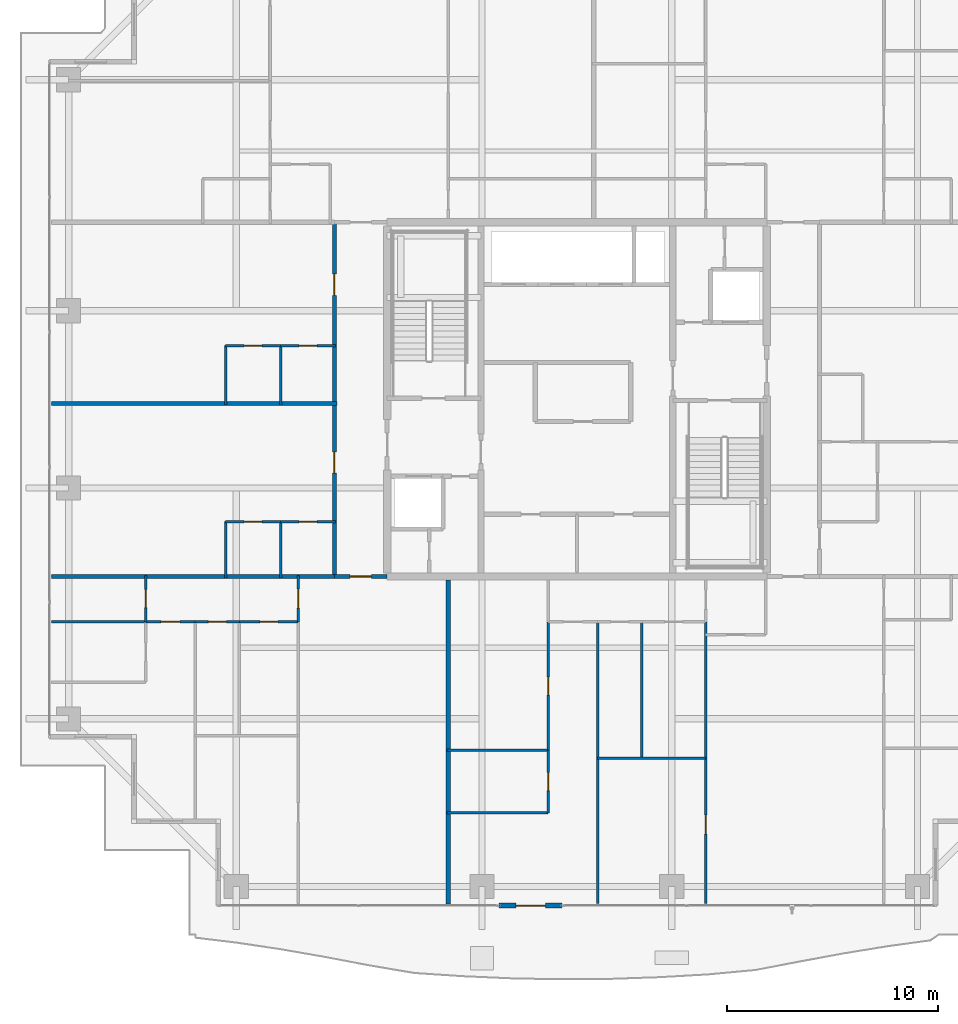
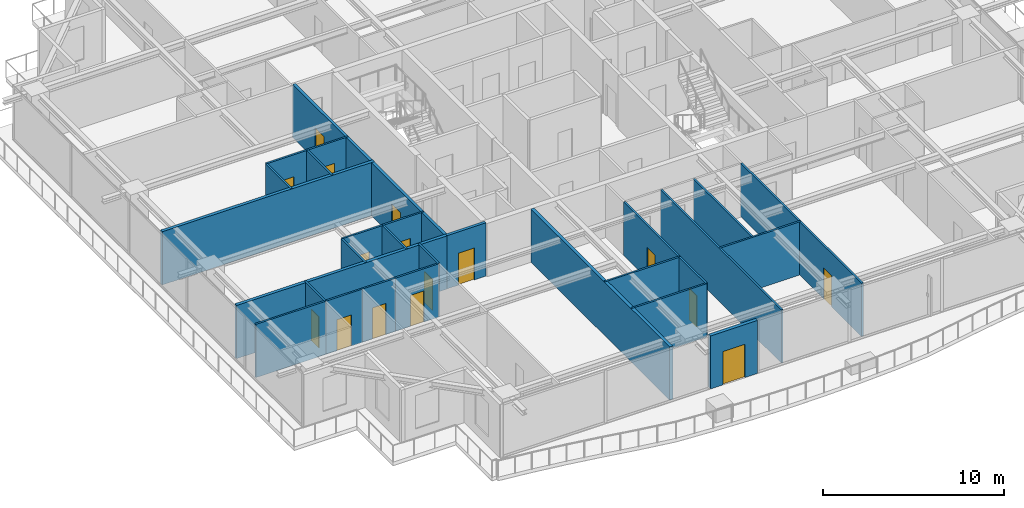
# One storey, part 26 of 37: 29 walls, 16 doors, 16 openings.
"""IFC4 building model written with IfcOpenShell, lengths in metres."""

from ifc_helpers import new_model, si_unit, direction, frame, frame_2d, origin, place, context, subcontext, project, spatial, rectangle, extrude, source, transform, mapped, material, layer, layer_set, type_object, element, fill, save


model = new_model("IFC4")

# Units and contexts
model_context = context("Model", 3, precision=1e-05, world=origin(), true_north=direction((0.0, 1.0)))
body_context = subcontext(model_context, "Body", "Model", "MODEL_VIEW")
ifc_project = project(units=[si_unit("LENGTHUNIT", "METRE"), si_unit("AREAUNIT", "SQUARE_METRE"), si_unit("VOLUMEUNIT", "CUBIC_METRE"), si_unit("PLANEANGLEUNIT", "RADIAN"), si_unit("MASSUNIT", "GRAM", prefix="KILO")], contexts=[model_context])

# Site, building, storey
site_placement = place(None, origin())
site = spatial("IfcSite", under=ifc_project, at=site_placement, CompositionType="ELEMENT")
building_placement = place(site_placement, origin())
building = spatial("IfcBuilding", under=site, at=building_placement, Name="Serunith Strait Residences", CompositionType="ELEMENT")
storey_placement = place(building_placement, frame((0.0, 0.0, 275.89990234375)))
storey = spatial("IfcBuildingStorey", under=building, at=storey_placement, Name="L69", CompositionType="ELEMENT", Elevation=275.89990234375)

# Wall, opening, door
ifc_material_1 = material(Name="Pale-Champagne Aluminium Insulated Panel", Category="aluminium")
ifc_layer_1 = layer(ifc_material_1, 0.219970703125, Name="Pale-Champagne Aluminium Insulated Panel")
ifc_layer_set_1 = layer_set([ifc_layer_1], Name="Pale-Champagne Aluminium Insulated Panel")
wall_type_1 = type_object("IfcWallType", Name="EW-ALUM-220", PredefinedType="ELEMENTEDWALL", material=ifc_layer_set_1)
wall_1_placement = place(storey_placement, frame((28.699951171875, 1.199951171875, 0.0), z_axis=(0.0, 0.0, 1.0), x_axis=(1.0, 0.0, 0.0)))
wall_1 = element("IfcWall", 1, at=wall_1_placement, inside=storey, type_object=wall_type_1, Name="L69 S Facade Pier Wall", PredefinedType="ELEMENTEDWALL", context=body_context, shape_type="SweptSolid", body=[
    extrude(rectangle(XDim=3.0, YDim=0.219970703125, at=frame_2d((1.5, 0.0))), origin(), (0.0, 0.0, 1.0), 3.5751953125),
])
opening_1_placement = place(wall_1_placement, frame((0.800048828125, 0.0, 0.0)))
opening_1 = element("IfcOpeningElement", 2, at=opening_1_placement, cuts=wall_1, Name="Opening ED-04", PredefinedType="OPENING", context=body_context, shape_type="SweptSolid", body=[
    extrude(rectangle(XDim=1.39990234375, YDim=2.25, at=frame_2d((0.699951171875, 1.125))), frame((0.0, 0.1201171875, 0.0), z_axis=(0.0, -1.0, 0.0), x_axis=(1.0, 0.0, 0.0)), (0.0, 0.0, 1.0), 0.239990234375),
])
ifc_material_2 = material(Name="Thermally-Broken Aluminium Sliding Balcony Door", Category="aluminium")
door_type_1 = type_object("IfcDoorType", Name="ED-BALC-1400", OperationType="NOTDEFINED", PredefinedType="DOOR", material=ifc_material_2)
shared_shape_1 = source(origin(), body_context, "Body", "SweptSolid", [
    extrude(rectangle(XDim=1.39990234375, YDim=2.25, at=frame_2d((0.699951171875, 1.125))), frame((0.0, 0.02490234375, 0.0), z_axis=(0.0, -1.0, 0.0), x_axis=(1.0, 0.0, 0.0)), (0.0, 0.0, 1.0), 0.050048828125),
])
door_1_placement = place(opening_1_placement, origin())
door_1 = element("IfcDoor", 3, at=door_1_placement, inside=storey, type_object=door_type_1, Name="L69 S Vertical-Forest Balcony Door", OperationType="SLIDING_TO_LEFT", OverallHeight=2.25, OverallWidth=1.39990234375, PredefinedType="DOOR", context=body_context, shape_type="MappedRepresentation", body=[
    mapped(shared_shape_1, transform((0.0, 0.0, 0.0), scale=1.0)),
])
fill(opening_1, door_1)

ifc_material_3 = material(Name="Fire-rated acoustic gypsum partition")
ifc_layer_2 = layer(ifc_material_3, 0.179931640625, Name="Fire-rated acoustic gypsum partition")
ifc_layer_set_2 = layer_set([ifc_layer_2], Name="Fire-rated acoustic gypsum partition")
wall_type_2 = type_object("IfcWallType", Name="IW-CORR-180", PredefinedType="PARTITIONING", material=ifc_layer_set_2)
wall_2_placement = place(storey_placement, frame((20.902099609375, 16.800048828125, 0.0), z_axis=(0.0, 0.0, 1.0), x_axis=(1.0, 0.0, 0.0)))
wall_2 = element("IfcWall", 4, at=wall_2_placement, inside=storey, type_object=wall_type_2, Name="L69 Partition Wall 027", PredefinedType="PARTITIONING", context=body_context, shape_type="SweptSolid", body=[
    extrude(rectangle(XDim=2.495849609375, YDim=0.179931640625, at=frame_2d((1.248046875, 0.0))), origin(), (0.0, 0.0, 1.0), 3.590087890625),
])
opening_2_placement = place(wall_2_placement, frame((0.748046875, 0.0, 0.0)))
opening_2 = element("IfcOpeningElement", 5, at=opening_2_placement, cuts=wall_2, Name="Opening D-APT1000", PredefinedType="OPENING", context=body_context, shape_type="SweptSolid", body=[
    extrude(rectangle(XDim=1.0, YDim=2.14990234375, at=frame_2d((0.5, 1.074951171875))), frame((0.0, 0.10009765625, 0.0), z_axis=(0.0, -1.0, 0.0), x_axis=(1.0, 0.0, 0.0)), (0.0, 0.0, 1.0), 0.199951171875),
])
ifc_material_4 = material(Name="Solid timber engineered fire door", Category="wood")
door_type_2 = type_object("IfcDoorType", Name="ID-APT-1000", OperationType="NOTDEFINED", PredefinedType="DOOR", material=ifc_material_4)
shared_shape_2 = source(origin(), body_context, "Body", "SweptSolid", [
    extrude(rectangle(XDim=1.0, YDim=2.14990234375, at=frame_2d((0.5, 1.074951171875))), frame((0.0, 0.02490234375, 0.0), z_axis=(0.0, -1.0, 0.0), x_axis=(1.0, 0.0, 0.0)), (0.0, 0.0, 1.0), 0.050048828125),
])
door_2_placement = place(opening_2_placement, origin())
door_2 = element("IfcDoor", 6, at=door_2_placement, inside=storey, type_object=door_type_2, Name="L69 Unit 01 Entrance Door", OperationType="SINGLE_SWING_LEFT", OverallHeight=2.14990234375, OverallWidth=1.0, PredefinedType="DOOR", context=body_context, shape_type="MappedRepresentation", body=[
    mapped(shared_shape_2, transform((0.0, 0.0, 0.0), scale=1.0)),
])
fill(opening_2, door_2)

# Wall, openings, doors
wall_3_placement = place(storey_placement, frame((20.89990234375, 16.800048828125, 0.0), z_axis=(0.0, 0.0, 1.0), x_axis=(0.0, 1.0, 0.0)))
wall_3 = element("IfcWall", 7, at=wall_3_placement, inside=storey, type_object=wall_type_2, Name="L69 Partition Wall 029", PredefinedType="PARTITIONING", context=body_context, shape_type="SweptSolid", body=[
    extrude(rectangle(XDim=16.800048828125, YDim=0.179931640625, at=frame_2d((8.39990234375, 0.0))), origin(), (0.0, 0.0, 1.0), 3.590087890625),
])
opening_3_placement = place(wall_3_placement, frame((4.89794921875, 0.0, 0.0)))
opening_3 = element("IfcOpeningElement", 8, at=opening_3_placement, cuts=wall_3, Name="Opening D-APT1000", PredefinedType="OPENING", context=body_context, shape_type="SweptSolid", body=[
    extrude(rectangle(XDim=1.0, YDim=2.14990234375, at=frame_2d((0.5, 1.074951171875))), frame((0.0, 0.10009765625, 0.0), z_axis=(0.0, -1.0, 0.0), x_axis=(1.0, 0.0, 0.0)), (0.0, 0.0, 1.0), 0.199951171875),
])
opening_4_placement = place(wall_3_placement, frame((13.3349609375, 0.0, 0.0)))
opening_4 = element("IfcOpeningElement", 9, at=opening_4_placement, cuts=wall_3, Name="Opening D-APT1000", PredefinedType="OPENING", context=body_context, shape_type="SweptSolid", body=[
    extrude(rectangle(XDim=1.0, YDim=2.14990234375, at=frame_2d((0.5, 1.074951171875))), frame((0.0, 0.10009765625, 0.0), z_axis=(0.0, -1.0, 0.0), x_axis=(1.0, 0.0, 0.0)), (0.0, 0.0, 1.0), 0.199951171875),
])
door_3_placement = place(opening_3_placement, origin())
door_3 = element("IfcDoor", 10, at=door_3_placement, inside=storey, type_object=door_type_2, Name="L69 Unit 05 Entrance Door", OperationType="SINGLE_SWING_LEFT", OverallHeight=2.14990234375, OverallWidth=1.0, PredefinedType="DOOR", context=body_context, shape_type="MappedRepresentation", body=[
    mapped(shared_shape_2, transform((0.0, 0.0, 0.0), scale=1.0)),
])
fill(opening_3, door_3)
door_4_placement = place(opening_4_placement, origin())
door_4 = element("IfcDoor", 11, at=door_4_placement, inside=storey, type_object=door_type_2, Name="L69 Unit 06 Entrance Door", OperationType="SINGLE_SWING_RIGHT", OverallHeight=2.14990234375, OverallWidth=1.0, PredefinedType="DOOR", context=body_context, shape_type="MappedRepresentation", body=[
    mapped(shared_shape_2, transform((0.0, 0.0, 0.0), scale=1.0)),
])
fill(opening_4, door_4)

# Wall, opening, door
ifc_material_5 = material(Name="Lightweight steel-stud gypsum partition", Category="steel")
ifc_layer_3 = layer(ifc_material_5, 0.1201171875, Name="Lightweight steel-stud gypsum partition")
ifc_layer_set_3 = layer_set([ifc_layer_3], Name="Lightweight steel-stud gypsum partition")
wall_type_3 = type_object("IfcWallType", Name="IW-PART-120", PredefinedType="PARTITIONING", material=ifc_layer_set_3)
wall_4_placement = place(storey_placement, frame((19.179931640625, 14.64990234375, 0.0), z_axis=(0.0, 0.0, 1.0), x_axis=(0.0, 1.0, 0.0)))
wall_4 = element("IfcWall", 12, at=wall_4_placement, inside=storey, type_object=wall_type_3, Name="L69 Partition Wall 033", PredefinedType="PARTITIONING", context=body_context, shape_type="SweptSolid", body=[
    extrude(rectangle(XDim=2.210205078125, YDim=0.1201171875, at=frame_2d((1.10498046875, 0.0))), origin(), (0.0, 0.0, 1.0), 3.590087890625),
])
opening_5_placement = place(wall_4_placement, frame((0.655029296875, 0.0, 0.0)))
opening_5 = element("IfcOpeningElement", 13, at=opening_5_placement, cuts=wall_4, Name="Opening D-RM900", PredefinedType="OPENING", context=body_context, shape_type="SweptSolid", body=[
    extrude(rectangle(XDim=0.89990234375, YDim=2.10009765625, at=frame_2d((0.449951171875, 1.050048828125))), frame((0.0, 0.070068359375, 0.0), z_axis=(0.0, -1.0, 0.0), x_axis=(1.0, 0.0, 0.0)), (0.0, 0.0, 1.0), 0.14013671875),
])
ifc_material_6 = material(Name="Engineered timber flush bedroom door", Category="wood")
door_type_3 = type_object("IfcDoorType", Name="ID-ROOM-900", OperationType="NOTDEFINED", PredefinedType="DOOR", material=ifc_material_6)
shared_shape_3 = source(origin(), body_context, "Body", "SweptSolid", [
    extrude(rectangle(XDim=0.89990234375, YDim=2.10009765625, at=frame_2d((0.449951171875, 1.050048828125))), frame((0.0, 0.02490234375, 0.0), z_axis=(0.0, -1.0, 0.0), x_axis=(1.0, 0.0, 0.0)), (0.0, 0.0, 1.0), 0.050048828125),
])
door_5_placement = place(opening_5_placement, origin())
door_5 = element("IfcDoor", 14, at=door_5_placement, inside=storey, type_object=door_type_3, Name="L69 Hall W 6901 Door", OperationType="SINGLE_SWING_RIGHT", OverallHeight=2.10009765625, OverallWidth=0.89990234375, PredefinedType="DOOR", context=body_context, shape_type="MappedRepresentation", body=[
    mapped(shared_shape_3, transform((0.0, 0.0, 0.0), scale=1.0)),
])
fill(opening_5, door_5)

wall_5_placement = place(storey_placement, frame((14.300048828125, 14.64990234375, 0.0), z_axis=(0.0, 0.0, 1.0), x_axis=(1.0, 0.0, 0.0)))
wall_5 = element("IfcWall", 15, at=wall_5_placement, inside=storey, type_object=wall_type_3, Name="L69 Partition Wall 039", PredefinedType="PARTITIONING", context=body_context, shape_type="SweptSolid", body=[
    extrude(rectangle(XDim=2.099853515625, YDim=0.1201171875, at=frame_2d((1.0498046875, 0.0))), origin(), (0.0, 0.0, 1.0), 3.590087890625),
])
opening_6_placement = place(wall_5_placement, frame((0.625, 0.0, 0.0)))
opening_6 = element("IfcOpeningElement", 16, at=opening_6_placement, cuts=wall_5, Name="Opening D-BTH850", PredefinedType="OPENING", context=body_context, shape_type="SweptSolid", body=[
    extrude(rectangle(XDim=0.85009765625, YDim=2.10009765625, at=frame_2d((0.425048828125, 1.050048828125))), frame((0.0, 0.070068359375, 0.0), z_axis=(0.0, -1.0, 0.0), x_axis=(1.0, 0.0, 0.0)), (0.0, 0.0, 1.0), 0.14013671875),
])
ifc_material_7 = material(Name="Moisture-resistant timber bathroom door", Category="wood")
door_type_4 = type_object("IfcDoorType", Name="ID-BATH-850", OperationType="NOTDEFINED", PredefinedType="DOOR", material=ifc_material_7)
shared_shape_4 = source(origin(), body_context, "Body", "SweptSolid", [
    extrude(rectangle(XDim=0.85009765625, YDim=2.10009765625, at=frame_2d((0.425048828125, 1.050048828125))), frame((0.0, 0.02490234375, 0.0), z_axis=(0.0, -1.0, 0.0), x_axis=(1.0, 0.0, 0.0)), (0.0, 0.0, 1.0), 0.050048828125),
])
door_6_placement = place(opening_6_placement, origin())
door_6 = element("IfcDoor", 17, at=door_6_placement, inside=storey, type_object=door_type_4, Name="L69 Bathroom 6901 Door", OperationType="SINGLE_SWING_RIGHT", OverallHeight=2.10009765625, OverallWidth=0.85009765625, PredefinedType="DOOR", context=body_context, shape_type="MappedRepresentation", body=[
    mapped(shared_shape_4, transform((0.0, 0.0, 0.0), scale=1.0)),
])
fill(opening_6, door_6)

wall_6_placement = place(storey_placement, frame((16.402099609375, 14.64990234375, 0.0), z_axis=(0.0, 0.0, 1.0), x_axis=(1.0, 0.0, 0.0)))
wall_6 = element("IfcWall", 18, at=wall_6_placement, inside=storey, type_object=wall_type_3, Name="L69 Partition Wall 040", PredefinedType="PARTITIONING", context=body_context, shape_type="SweptSolid", body=[
    extrude(rectangle(XDim=2.77783203125, YDim=0.1201171875, at=frame_2d((1.388916015625, 0.0))), origin(), (0.0, 0.0, 1.0), 3.590087890625),
])
opening_7_placement = place(wall_6_placement, frame((0.964111328125, 0.0, 0.0)))
opening_7 = element("IfcOpeningElement", 19, at=opening_7_placement, cuts=wall_6, Name="Opening D-RM850", PredefinedType="OPENING", context=body_context, shape_type="SweptSolid", body=[
    extrude(rectangle(XDim=0.85009765625, YDim=2.10009765625, at=frame_2d((0.425048828125, 1.050048828125))), frame((0.0, 0.070068359375, 0.0), z_axis=(0.0, -1.0, 0.0), x_axis=(1.0, 0.0, 0.0)), (0.0, 0.0, 1.0), 0.14013671875),
])
ifc_material_8 = material(Name="Engineered timber flush study and kitchen door", Category="wood")
door_type_5 = type_object("IfcDoorType", Name="ID-ROOM-850", OperationType="NOTDEFINED", PredefinedType="DOOR", material=ifc_material_8)
door_7_placement = place(opening_7_placement, origin())
door_7 = element("IfcDoor", 20, at=door_7_placement, inside=storey, type_object=door_type_5, Name="L69 Kitchen 6901 Door", OperationType="SINGLE_SWING_LEFT", OverallHeight=2.10009765625, OverallWidth=0.85009765625, PredefinedType="DOOR", context=body_context, shape_type="MappedRepresentation", body=[
    mapped(shared_shape_4, transform((0.0, 0.0, 0.0), scale=1.0)),
])
fill(opening_7, door_7)

wall_7_placement = place(storey_placement, frame((11.949951171875, 14.64990234375, 0.0), z_axis=(0.0, 0.0, 1.0), x_axis=(1.0, 0.0, 0.0)))
wall_7 = element("IfcWall", 21, at=wall_7_placement, inside=storey, type_object=wall_type_3, Name="L69 Partition Wall 041", PredefinedType="PARTITIONING", context=body_context, shape_type="SweptSolid", body=[
    extrude(rectangle(XDim=2.34814453125, YDim=0.1201171875, at=frame_2d((1.174072265625, 0.0))), origin(), (0.0, 0.0, 1.0), 3.590087890625),
])
opening_8_placement = place(wall_7_placement, frame((0.72412109375, 0.0, 0.0)))
opening_8 = element("IfcOpeningElement", 22, at=opening_8_placement, cuts=wall_7, Name="Opening D-RM900", PredefinedType="OPENING", context=body_context, shape_type="SweptSolid", body=[
    extrude(rectangle(XDim=0.89990234375, YDim=2.10009765625, at=frame_2d((0.449951171875, 1.050048828125))), frame((0.0, 0.070068359375, 0.0), z_axis=(0.0, -1.0, 0.0), x_axis=(1.0, 0.0, 0.0)), (0.0, 0.0, 1.0), 0.14013671875),
])
door_8_placement = place(opening_8_placement, origin())
door_8 = element("IfcDoor", 23, at=door_8_placement, inside=storey, type_object=door_type_3, Name="L69 Master Bedroom W 6901 Door", OperationType="SINGLE_SWING_RIGHT", OverallHeight=2.10009765625, OverallWidth=0.89990234375, PredefinedType="DOOR", context=body_context, shape_type="MappedRepresentation", body=[
    mapped(shared_shape_3, transform((0.0, 0.0, 0.0), scale=1.0)),
])
fill(opening_8, door_8)

# Wall
wall_8_placement = place(storey_placement, frame((7.4951171875, 14.64990234375, 0.0), z_axis=(0.0, 0.0, 1.0), x_axis=(1.0, 0.0, 0.0)))
element("IfcWall", 24, at=wall_8_placement, inside=storey, type_object=wall_type_3, Name="L69 Partition Wall 043", PredefinedType="PARTITIONING", context=body_context, shape_type="SweptSolid", body=[
    extrude(rectangle(XDim=4.452880859375, YDim=0.1201171875, at=frame_2d((2.2265625, 0.0))), origin(), (0.0, 0.0, 1.0), 3.590087890625),
])

# Wall, opening, door
wall_9_placement = place(storey_placement, frame((11.949951171875, 14.652099609375, 0.0), z_axis=(0.0, 0.0, 1.0), x_axis=(0.0, 1.0, 0.0)))
wall_9 = element("IfcWall", 25, at=wall_9_placement, inside=storey, type_object=wall_type_3, Name="L69 Partition Wall 045", PredefinedType="PARTITIONING", context=body_context, shape_type="SweptSolid", body=[
    extrude(rectangle(XDim=2.2080078125, YDim=0.1201171875, at=frame_2d((1.10400390625, 0.0))), origin(), (0.0, 0.0, 1.0), 3.590087890625),
])
opening_9_placement = place(wall_9_placement, frame((0.678955078125, 0.0, 0.0)))
opening_9 = element("IfcOpeningElement", 26, at=opening_9_placement, cuts=wall_9, Name="Opening D-RM850", PredefinedType="OPENING", context=body_context, shape_type="SweptSolid", body=[
    extrude(rectangle(XDim=0.85009765625, YDim=2.10009765625, at=frame_2d((0.425048828125, 1.050048828125))), frame((0.0, 0.070068359375, 0.0), z_axis=(0.0, -1.0, 0.0), x_axis=(1.0, 0.0, 0.0)), (0.0, 0.0, 1.0), 0.14013671875),
])
door_9_placement = place(opening_9_placement, origin())
door_9 = element("IfcDoor", 27, at=door_9_placement, inside=storey, type_object=door_type_5, Name="L69 Wardrobe W 6901 Door", OperationType="SINGLE_SWING_RIGHT", OverallHeight=2.10009765625, OverallWidth=0.85009765625, PredefinedType="DOOR", context=body_context, shape_type="MappedRepresentation", body=[
    mapped(shared_shape_4, transform((0.0, 0.0, 0.0), scale=1.0)),
])
fill(opening_9, door_9)

wall_10_placement = place(storey_placement, frame((38.5, 1.294921875, 0.0), z_axis=(0.0, 0.0, 1.0), x_axis=(0.0, 1.0, 0.0)))
wall_10 = element("IfcWall", 28, at=wall_10_placement, inside=storey, type_object=wall_type_3, Name="L69 Partition Wall 049", PredefinedType="PARTITIONING", context=body_context, shape_type="SweptSolid", body=[
    extrude(rectangle(XDim=6.89404296875, YDim=0.1201171875, at=frame_2d((3.447021484375, 0.0))), origin(), (0.0, 0.0, 1.0), 3.590087890625),
])
opening_10_placement = place(wall_10_placement, frame((3.297119140625, 0.0, 0.0)))
opening_10 = element("IfcOpeningElement", 29, at=opening_10_placement, cuts=wall_10, Name="Opening D-RM900", PredefinedType="OPENING", context=body_context, shape_type="SweptSolid", body=[
    extrude(rectangle(XDim=0.89990234375, YDim=2.10009765625, at=frame_2d((0.449951171875, 1.050048828125))), frame((0.0, 0.070068359375, 0.0), z_axis=(0.0, -1.0, 0.0), x_axis=(1.0, 0.0, 0.0)), (0.0, 0.0, 1.0), 0.14013671875),
])
door_10_placement = place(opening_10_placement, origin())
door_10 = element("IfcDoor", 30, at=door_10_placement, inside=storey, type_object=door_type_3, Name="L69 Formal Dining Room 1 6902 Door", OperationType="SINGLE_SWING_LEFT", OverallHeight=2.10009765625, OverallWidth=0.89990234375, PredefinedType="DOOR", context=body_context, shape_type="MappedRepresentation", body=[
    mapped(shared_shape_3, transform((0.0, 0.0, 0.0), scale=1.0)),
])
fill(opening_10, door_10)

# Walls
wall_11_placement = place(storey_placement, frame((38.5, 8.19091796875, 0.0), z_axis=(0.0, 0.0, 1.0), x_axis=(0.0, 1.0, 0.0)))
element("IfcWall", 31, at=wall_11_placement, inside=storey, type_object=wall_type_3, Name="L69 Partition Wall 050", PredefinedType="PARTITIONING", context=body_context, shape_type="SweptSolid", body=[
    extrude(rectangle(XDim=6.45703125, YDim=0.1201171875, at=frame_2d((3.228515625, 0.0))), origin(), (0.0, 0.0, 1.0), 3.590087890625),
])
wall_12_placement = place(storey_placement, frame((33.3798828125, 8.18896484375, 0.0), z_axis=(0.0, 0.0, 1.0), x_axis=(1.0, 0.0, 0.0)))
element("IfcWall", 32, at=wall_12_placement, inside=storey, type_object=wall_type_3, Name="L69 Partition Wall 051", PredefinedType="PARTITIONING", context=body_context, shape_type="SweptSolid", body=[
    extrude(rectangle(XDim=5.1201171875, YDim=0.1201171875, at=frame_2d((2.56005859375, 0.0))), origin(), (0.0, 0.0, 1.0), 3.590087890625),
])
wall_13_placement = place(storey_placement, frame((33.3798828125, 1.294921875, 0.0), z_axis=(0.0, 0.0, 1.0), x_axis=(0.0, 1.0, 0.0)))
element("IfcWall", 33, at=wall_13_placement, inside=storey, type_object=wall_type_3, Name="L69 Partition Wall 052", PredefinedType="PARTITIONING", context=body_context, shape_type="SweptSolid", body=[
    extrude(rectangle(XDim=13.35498046875, YDim=0.1201171875, at=frame_2d((6.677490234375, 0.0))), origin(), (0.0, 0.0, 1.0), 3.590087890625),
])
wall_14_placement = place(storey_placement, frame((35.47998046875, 8.18896484375, 0.0), z_axis=(0.0, 0.0, 1.0), x_axis=(0.0, 1.0, 0.0)))
element("IfcWall", 34, at=wall_14_placement, inside=storey, type_object=wall_type_3, Name="L69 Partition Wall 053", PredefinedType="PARTITIONING", context=body_context, shape_type="SweptSolid", body=[
    extrude(rectangle(XDim=6.4609375, YDim=0.1201171875, at=frame_2d((3.23046875, 0.0))), origin(), (0.0, 0.0, 1.0), 3.590087890625),
])
for number, where, z_axis, x_axis, name in (
    (35, (26.239990234375, 5.594970703125, 0.0), (0.0, 0.0, 1.0), (1.0, 0.0, 0.0), "L69 Partition Wall 057"),
    (36, (26.239990234375, 8.554931640625, 0.0), (0.0, 0.0, 1.0), (1.0, 0.0, 0.0), "L69 Partition Wall 058"),
):
    element("IfcWall", number, at=place(storey_placement, frame(where, z_axis=z_axis, x_axis=x_axis)), inside=storey, type_object=wall_type_3, Name=name, PredefinedType="PARTITIONING", context=body_context, shape_type="SweptSolid", body=[
        extrude(rectangle(XDim=4.7900390625, YDim=0.1201171875, at=frame_2d((2.39501953125, 0.0))), origin(), (0.0, 0.0, 1.0), 3.590087890625),
    ])

# Wall, opening, door
wall_15_placement = place(storey_placement, frame((31.030029296875, 5.594970703125, 0.0), z_axis=(0.0, 0.0, 1.0), x_axis=(0.0, 1.0, 0.0)))
wall_15 = element("IfcWall", 37, at=wall_15_placement, inside=storey, type_object=wall_type_3, Name="L69 Partition Wall 059", PredefinedType="PARTITIONING", context=body_context, shape_type="SweptSolid", body=[
    extrude(rectangle(XDim=2.9599609375, YDim=0.1201171875, at=frame_2d((1.47998046875, 0.0))), origin(), (0.0, 0.0, 1.0), 3.590087890625),
])
opening_11_placement = place(wall_15_placement, frame((1.054931640625, 0.0, 0.0)))
opening_11 = element("IfcOpeningElement", 38, at=opening_11_placement, cuts=wall_15, Name="Opening D-BTH850", PredefinedType="OPENING", context=body_context, shape_type="SweptSolid", body=[
    extrude(rectangle(XDim=0.85009765625, YDim=2.10009765625, at=frame_2d((0.425048828125, 1.050048828125))), frame((0.0, 0.070068359375, 0.0), z_axis=(0.0, -1.0, 0.0), x_axis=(1.0, 0.0, 0.0)), (0.0, 0.0, 1.0), 0.14013671875),
])
door_11_placement = place(opening_11_placement, origin())
door_11 = element("IfcDoor", 39, at=door_11_placement, inside=storey, type_object=door_type_4, Name="L69 En-suite Bathroom W 6902 Door", OperationType="SINGLE_SWING_LEFT", OverallHeight=2.10009765625, OverallWidth=0.85009765625, PredefinedType="DOOR", context=body_context, shape_type="MappedRepresentation", body=[
    mapped(shared_shape_4, transform((0.0, 0.0, 0.0), scale=1.0)),
])
fill(opening_11, door_11)

wall_16_placement = place(storey_placement, frame((31.030029296875, 8.556884765625, 0.0), z_axis=(0.0, 0.0, 1.0), x_axis=(0.0, 1.0, 0.0)))
wall_16 = element("IfcWall", 40, at=wall_16_placement, inside=storey, type_object=wall_type_3, Name="L69 Partition Wall 060", PredefinedType="PARTITIONING", context=body_context, shape_type="SweptSolid", body=[
    extrude(rectangle(XDim=6.093017578125, YDim=0.1201171875, at=frame_2d((3.04638671875, 0.0))), origin(), (0.0, 0.0, 1.0), 3.590087890625),
])
opening_12_placement = place(wall_16_placement, frame((2.6220703125, 0.0, 0.0)))
opening_12 = element("IfcOpeningElement", 41, at=opening_12_placement, cuts=wall_16, Name="Opening D-RM850", PredefinedType="OPENING", context=body_context, shape_type="SweptSolid", body=[
    extrude(rectangle(XDim=0.85009765625, YDim=2.10009765625, at=frame_2d((0.425048828125, 1.050048828125))), frame((0.0, 0.070068359375, 0.0), z_axis=(0.0, -1.0, 0.0), x_axis=(1.0, 0.0, 0.0)), (0.0, 0.0, 1.0), 0.14013671875),
])
door_12_placement = place(opening_12_placement, origin())
door_12 = element("IfcDoor", 42, at=door_12_placement, inside=storey, type_object=door_type_5, Name="L69 Wardrobe W 6902 Door", OperationType="SINGLE_SWING_RIGHT", OverallHeight=2.10009765625, OverallWidth=0.85009765625, PredefinedType="DOOR", context=body_context, shape_type="MappedRepresentation", body=[
    mapped(shared_shape_4, transform((0.0, 0.0, 0.0), scale=1.0)),
])
fill(opening_12, door_12)

wall_17_placement = place(storey_placement, frame((15.75, 19.39990234375, 0.0), z_axis=(0.0, 0.0, 1.0), x_axis=(1.0, 0.0, 0.0)))
wall_17 = element("IfcWall", 43, at=wall_17_placement, inside=storey, type_object=wall_type_3, Name="L69 Partition Wall 094", PredefinedType="PARTITIONING", context=body_context, shape_type="SweptSolid", body=[
    extrude(rectangle(XDim=2.60009765625, YDim=0.1201171875, at=frame_2d((1.300048828125, 0.0))), origin(), (0.0, 0.0, 1.0), 3.590087890625),
])
opening_13_placement = place(wall_17_placement, frame((0.875, 0.0, 0.0)))
opening_13 = element("IfcOpeningElement", 44, at=opening_13_placement, cuts=wall_17, Name="Opening D-RM850", PredefinedType="OPENING", context=body_context, shape_type="SweptSolid", body=[
    extrude(rectangle(XDim=0.85009765625, YDim=2.10009765625, at=frame_2d((0.425048828125, 1.050048828125))), frame((0.0, 0.070068359375, 0.0), z_axis=(0.0, -1.0, 0.0), x_axis=(1.0, 0.0, 0.0)), (0.0, 0.0, 1.0), 0.14013671875),
])
door_13_placement = place(opening_13_placement, origin())
door_13 = element("IfcDoor", 45, at=door_13_placement, inside=storey, type_object=door_type_5, Name="L69 Kitchen 6905 Door", OperationType="SINGLE_SWING_RIGHT", OverallHeight=2.10009765625, OverallWidth=0.85009765625, PredefinedType="DOOR", context=body_context, shape_type="MappedRepresentation", body=[
    mapped(shared_shape_4, transform((0.0, 0.0, 0.0), scale=1.0)),
])
fill(opening_13, door_13)

wall_18_placement = place(storey_placement, frame((18.35205078125, 19.39990234375, 0.0), z_axis=(0.0, 0.0, 1.0), x_axis=(1.0, 0.0, 0.0)))
wall_18 = element("IfcWall", 46, at=wall_18_placement, inside=storey, type_object=wall_type_3, Name="L69 Partition Wall 095", PredefinedType="PARTITIONING", context=body_context, shape_type="SweptSolid", body=[
    extrude(rectangle(XDim=2.60791015625, YDim=0.1201171875, at=frame_2d((1.303955078125, 0.0))), origin(), (0.0, 0.0, 1.0), 3.590087890625),
])
opening_14_placement = place(wall_18_placement, frame((0.87890625, 0.0, 0.0)))
opening_14 = element("IfcOpeningElement", 47, at=opening_14_placement, cuts=wall_18, Name="Opening D-BTH850", PredefinedType="OPENING", context=body_context, shape_type="SweptSolid", body=[
    extrude(rectangle(XDim=0.85009765625, YDim=2.10009765625, at=frame_2d((0.425048828125, 1.050048828125))), frame((0.0, 0.070068359375, 0.0), z_axis=(0.0, -1.0, 0.0), x_axis=(1.0, 0.0, 0.0)), (0.0, 0.0, 1.0), 0.14013671875),
])
door_14_placement = place(opening_14_placement, origin())
door_14 = element("IfcDoor", 48, at=door_14_placement, inside=storey, type_object=door_type_4, Name="L69 Bathroom 6905 Door", OperationType="SINGLE_SWING_LEFT", OverallHeight=2.10009765625, OverallWidth=0.85009765625, PredefinedType="DOOR", context=body_context, shape_type="MappedRepresentation", body=[
    mapped(shared_shape_4, transform((0.0, 0.0, 0.0), scale=1.0)),
])
fill(opening_14, door_14)

# Walls
for number, where, z_axis, x_axis, name in (
    (49, (18.35009765625, 16.739990234375, 0.0), (0.0, 0.0, 1.0), (0.0, 1.0, 0.0), "L69 Partition Wall 096"),
    (50, (15.75, 16.739990234375, 0.0), (0.0, 0.0, 1.0), (0.0, 1.0, 0.0), "L69 Partition Wall 097"),
):
    element("IfcWall", number, at=place(storey_placement, frame(where, z_axis=z_axis, x_axis=x_axis)), inside=storey, type_object=wall_type_3, Name=name, PredefinedType="PARTITIONING", context=body_context, shape_type="SweptSolid", body=[
        extrude(rectangle(XDim=2.659912109375, YDim=0.1201171875, at=frame_2d((1.330078125, 0.0))), origin(), (0.0, 0.0, 1.0), 3.590087890625),
    ])

# Wall, opening, door
wall_19_placement = place(storey_placement, frame((15.75, 27.75, 0.0), z_axis=(0.0, 0.0, 1.0), x_axis=(1.0, 0.0, 0.0)))
wall_19 = element("IfcWall", 51, at=wall_19_placement, inside=storey, type_object=wall_type_3, Name="L69 Partition Wall 098", PredefinedType="PARTITIONING", context=body_context, shape_type="SweptSolid", body=[
    extrude(rectangle(XDim=2.60009765625, YDim=0.1201171875, at=frame_2d((1.300048828125, 0.0))), origin(), (0.0, 0.0, 1.0), 3.590087890625),
])
opening_15_placement = place(wall_19_placement, frame((0.875, 0.0, 0.0)))
opening_15 = element("IfcOpeningElement", 52, at=opening_15_placement, cuts=wall_19, Name="Opening D-RM850", PredefinedType="OPENING", context=body_context, shape_type="SweptSolid", body=[
    extrude(rectangle(XDim=0.85009765625, YDim=2.10009765625, at=frame_2d((0.425048828125, 1.050048828125))), frame((0.0, 0.070068359375, 0.0), z_axis=(0.0, -1.0, 0.0), x_axis=(1.0, 0.0, 0.0)), (0.0, 0.0, 1.0), 0.14013671875),
])
door_15_placement = place(opening_15_placement, origin())
door_15 = element("IfcDoor", 53, at=door_15_placement, inside=storey, type_object=door_type_5, Name="L69 Kitchen 6906 Door", OperationType="SINGLE_SWING_RIGHT", OverallHeight=2.10009765625, OverallWidth=0.85009765625, PredefinedType="DOOR", context=body_context, shape_type="MappedRepresentation", body=[
    mapped(shared_shape_4, transform((0.0, 0.0, 0.0), scale=1.0)),
])
fill(opening_15, door_15)

wall_20_placement = place(storey_placement, frame((18.35205078125, 27.75, 0.0), z_axis=(0.0, 0.0, 1.0), x_axis=(1.0, 0.0, 0.0)))
wall_20 = element("IfcWall", 54, at=wall_20_placement, inside=storey, type_object=wall_type_3, Name="L69 Partition Wall 099", PredefinedType="PARTITIONING", context=body_context, shape_type="SweptSolid", body=[
    extrude(rectangle(XDim=2.60791015625, YDim=0.1201171875, at=frame_2d((1.303955078125, 0.0))), origin(), (0.0, 0.0, 1.0), 3.590087890625),
])
opening_16_placement = place(wall_20_placement, frame((0.87890625, 0.0, 0.0)))
opening_16 = element("IfcOpeningElement", 55, at=opening_16_placement, cuts=wall_20, Name="Opening D-BTH850", PredefinedType="OPENING", context=body_context, shape_type="SweptSolid", body=[
    extrude(rectangle(XDim=0.85009765625, YDim=2.10009765625, at=frame_2d((0.425048828125, 1.050048828125))), frame((0.0, 0.070068359375, 0.0), z_axis=(0.0, -1.0, 0.0), x_axis=(1.0, 0.0, 0.0)), (0.0, 0.0, 1.0), 0.14013671875),
])
door_16_placement = place(opening_16_placement, origin())
door_16 = element("IfcDoor", 56, at=door_16_placement, inside=storey, type_object=door_type_4, Name="L69 Bathroom 6906 Door", OperationType="SINGLE_SWING_LEFT", OverallHeight=2.10009765625, OverallWidth=0.85009765625, PredefinedType="DOOR", context=body_context, shape_type="MappedRepresentation", body=[
    mapped(shared_shape_4, transform((0.0, 0.0, 0.0), scale=1.0)),
])
fill(opening_16, door_16)

# Walls
for number, where, z_axis, x_axis, name in (
    (57, (18.35009765625, 24.93994140625, 0.0), (0.0, 0.0, 1.0), (0.0, 1.0, 0.0), "L69 Partition Wall 100"),
    (58, (15.75, 24.93994140625, 0.0), (0.0, 0.0, 1.0), (0.0, 1.0, 0.0), "L69 Partition Wall 101"),
):
    element("IfcWall", number, at=place(storey_placement, frame(where, z_axis=z_axis, x_axis=x_axis)), inside=storey, type_object=wall_type_3, Name=name, PredefinedType="PARTITIONING", context=body_context, shape_type="SweptSolid", body=[
        extrude(rectangle(XDim=2.81005859375, YDim=0.1201171875, at=frame_2d((1.405029296875, 0.0))), origin(), (0.0, 0.0, 1.0), 3.590087890625),
    ])
ifc_material_9 = material(Name="Twin-stud acoustic gypsum board partition")
ifc_layer_4 = layer(ifc_material_9, 0.199951171875, Name="Twin-stud acoustic gypsum board partition")
ifc_layer_set_4 = layer_set([ifc_layer_4], Name="Twin-stud acoustic gypsum board partition")
wall_type_4 = type_object("IfcWallType", Name="IW-PARTY-200", PredefinedType="PARTITIONING", material=ifc_layer_set_4)
wall_21_placement = place(storey_placement, frame((26.300048828125, 1.281982421875, 0.0), z_axis=(0.0, 0.0, 1.0), x_axis=(0.0, 1.0, 0.0)))
element("IfcWall", 59, at=wall_21_placement, inside=storey, type_object=wall_type_4, Name="L69 Partition Wall 020", PredefinedType="PARTITIONING", context=body_context, shape_type="SweptSolid", body=[
    extrude(rectangle(XDim=15.343017578125, YDim=0.199951171875, at=frame_2d((7.67138671875, 0.0))), origin(), (0.0, 0.0, 1.0), 3.590087890625),
])
wall_22_placement = place(storey_placement, frame((7.48193359375, 25.0, 0.0), z_axis=(0.0, 0.0, 1.0), x_axis=(1.0, 0.0, 0.0)))
element("IfcWall", 60, at=wall_22_placement, inside=storey, type_object=wall_type_4, Name="L69 Partition Wall 022", PredefinedType="PARTITIONING", context=body_context, shape_type="SweptSolid", body=[
    extrude(rectangle(XDim=13.5380859375, YDim=0.199951171875, at=frame_2d((6.76904296875, 0.0))), origin(), (0.0, 0.0, 1.0), 3.590087890625),
])
wall_23_placement = place(storey_placement, frame((7.48193359375, 16.800048828125, 0.0), z_axis=(0.0, 0.0, 1.0), x_axis=(1.0, 0.0, 0.0)))
element("IfcWall", 61, at=wall_23_placement, inside=storey, type_object=wall_type_4, Name="L69 Partition Wall 023", PredefinedType="PARTITIONING", context=body_context, shape_type="SweptSolid", body=[
    extrude(rectangle(XDim=13.41796875, YDim=0.199951171875, at=frame_2d((6.708984375, 0.0))), origin(), (0.0, 0.0, 1.0), 3.590087890625),
])

save(model, "model.ifc")
